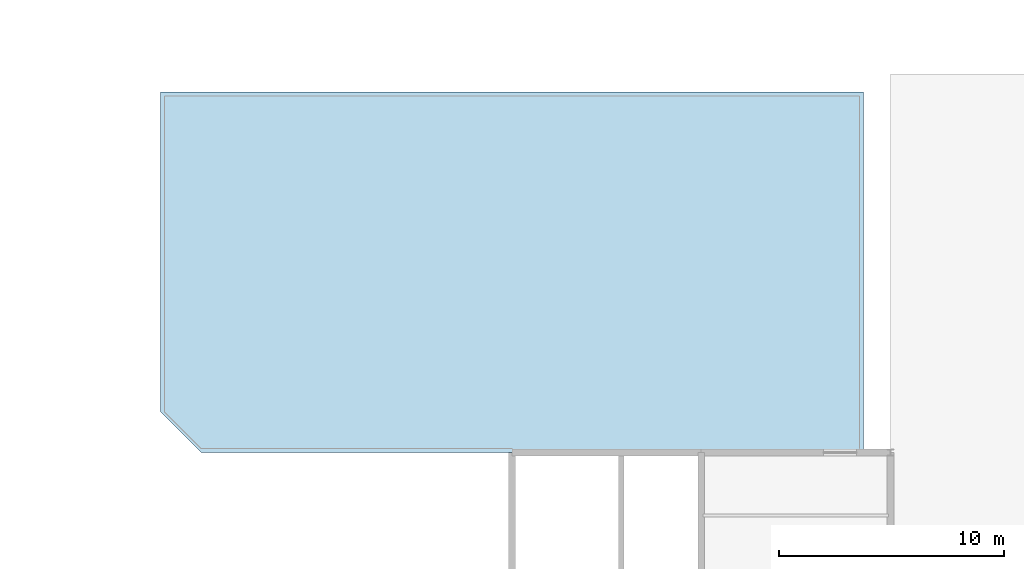
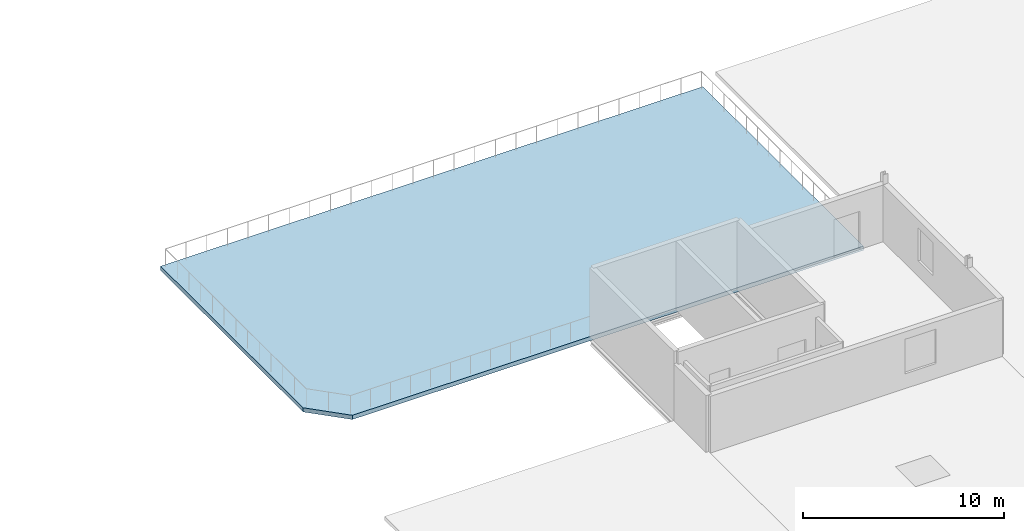
# One storey, part 38 of 69: 1 slab.
"""IFC4 building model written with IfcOpenShell, lengths in metres."""

from ifc_helpers import new_model, si_unit, direction, frame, origin, place, context, subcontext, project, spatial, polyline, outline, extrude, material, layer, layer_set, type_object, element, save


model = new_model("IFC4")

# Units and contexts
model_context = context("Model", 3, precision=1e-05, world=origin(), true_north=direction((0.0, 1.0)))
body_context = subcontext(model_context, "Body", "Model", "MODEL_VIEW")
ifc_project = project(units=[si_unit("LENGTHUNIT", "METRE"), si_unit("AREAUNIT", "SQUARE_METRE"), si_unit("VOLUMEUNIT", "CUBIC_METRE"), si_unit("PLANEANGLEUNIT", "RADIAN"), si_unit("MASSUNIT", "GRAM", prefix="KILO")], contexts=[model_context])

# Site, building, storey
site_placement = place(None, origin())
site = spatial("IfcSite", under=ifc_project, at=site_placement, CompositionType="ELEMENT")
building_placement = place(site_placement, origin())
building = spatial("IfcBuilding", under=site, at=building_placement, Name="Qalvenar Corner Mobility Hub", CompositionType="ELEMENT")
storey_placement = place(building_placement, frame((0.0, 0.0, 13.199951171875)))
storey = spatial("IfcBuildingStorey", under=building, at=storey_placement, Name="L03", CompositionType="ELEMENT", Elevation=13.199951171875)

# Slab
ifc_material = material(Name="Concrete C35/45", Category="concrete")
ifc_layer = layer(ifc_material, 0.2548828125)
ifc_layer_set = layer_set([ifc_layer], Name="Concrete C35/45")
slab_type = type_object("IfcSlabType", Name="SLB-GRN240", PredefinedType="ROOF", material=ifc_layer_set)
slab_placement = place(storey_placement, frame((0.0, 0.0, -0.2548828125)))
element("IfcSlab", 1, at=slab_placement, inside=storey, type_object=slab_type, Name="Walkable Terrace Slab TER-V6-L03", PredefinedType="ROOF", context=body_context, shape_type="SweptSolid", body=[
    extrude(outline(polyline([(112.199951171875, 25.199951171875), (141.60009765625, 25.199951171875), (141.60009765625, 41.199951171875), (110.39990234375, 41.199951171875), (110.39990234375, 27.0), (112.199951171875, 25.199951171875)])), origin(), (0.0, 0.0, 1.0), 0.2548828125),
])

save(model, "model.ifc")
